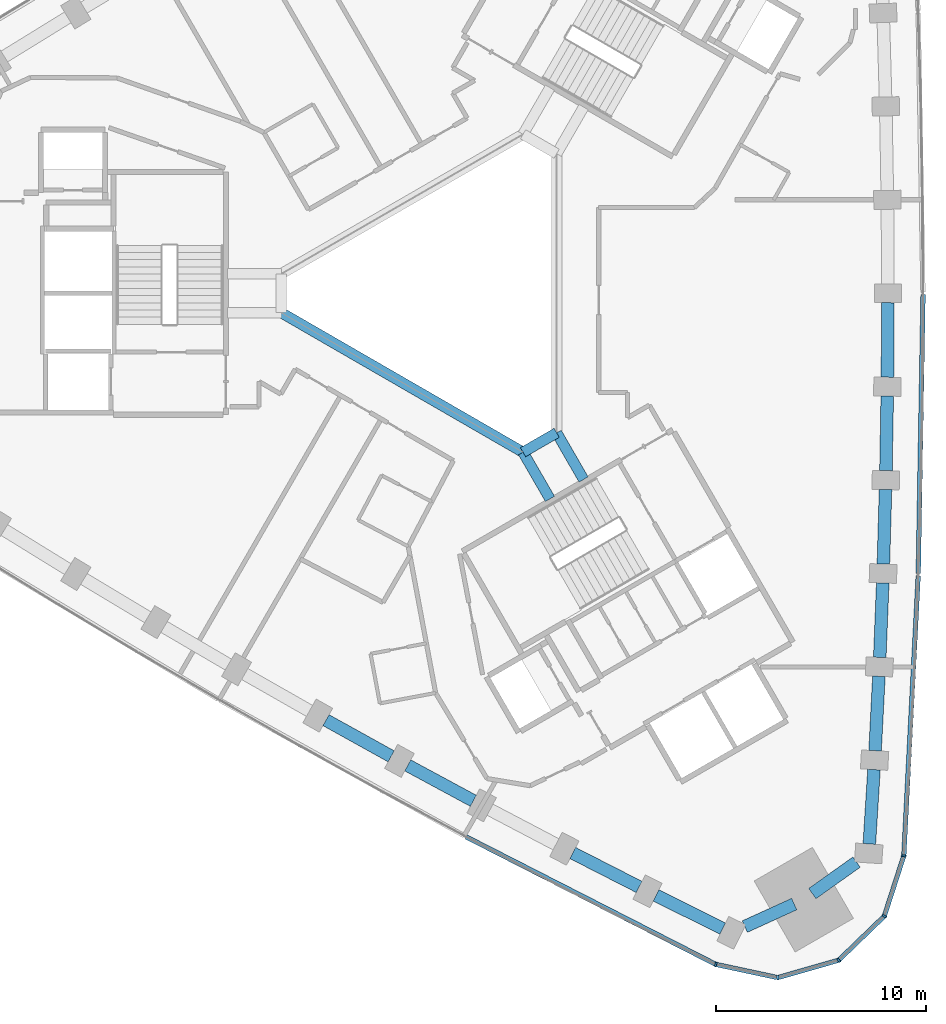
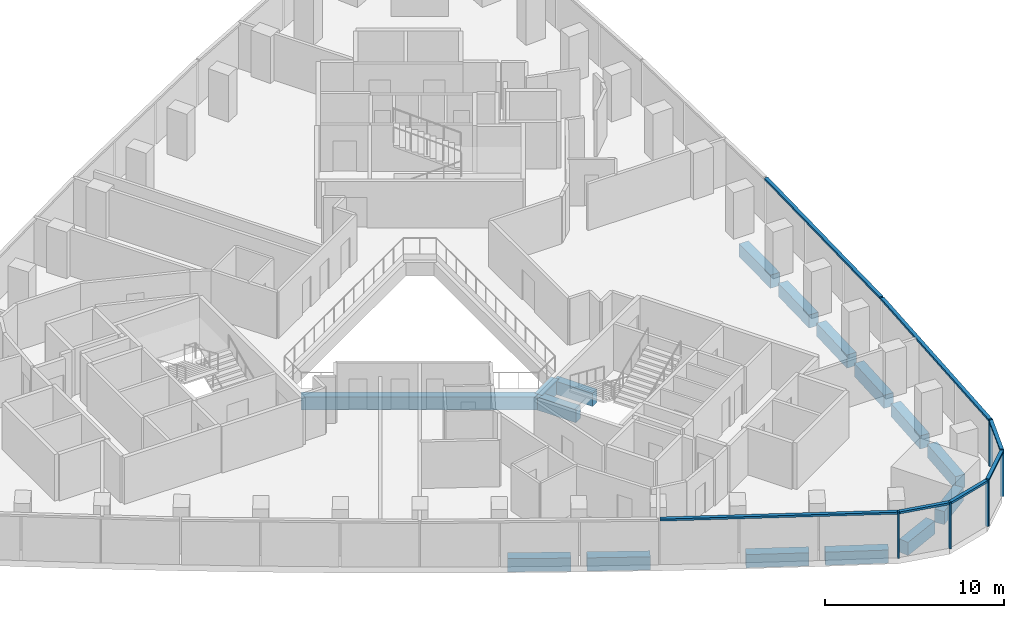
# One storey, part 3 of 12: 16 beams, 12 members, 2 elements without a shape of their own.
"""IFC4 building model written with IfcOpenShell, lengths in metres."""

from ifc_helpers import new_model, si_unit, direction, frame, origin, origin_2d, place, context, subcontext, project, spatial, rectangle, extrude, material, material_profile, profile_set, type_object, element, aggregate, save


model = new_model("IFC4")

# Units and contexts
model_context = context("Model", 3, precision=1e-05, world=origin(), true_north=direction((0.0, 1.0)))
body_context = subcontext(model_context, "Body", "Model", "MODEL_VIEW")
ifc_project = project(units=[si_unit("LENGTHUNIT", "METRE"), si_unit("AREAUNIT", "SQUARE_METRE"), si_unit("VOLUMEUNIT", "CUBIC_METRE"), si_unit("PLANEANGLEUNIT", "RADIAN"), si_unit("MASSUNIT", "GRAM", prefix="KILO")], contexts=[model_context])

# Site, building, storey
site_placement = place(None, origin())
site = spatial("IfcSite", under=ifc_project, at=site_placement, CompositionType="ELEMENT")
building_placement = place(site_placement, origin())
building = spatial("IfcBuilding", under=site, at=building_placement, Name="Tamra Quay Hotel Tower", CompositionType="ELEMENT")
storey_placement = place(building_placement, frame((0.0, 0.0, 83.0)))
storey = spatial("IfcBuildingStorey", under=building, at=storey_placement, Name="L19", CompositionType="ELEMENT", Elevation=83.0)

# Beams
ifc_material_1 = material(Name="Concrete M60", Category="concrete")
ifc_material_profile_1 = material_profile(ifc_material_1, rectangle(XDim=0.5, YDim=0.89990234375, at=origin_2d()), Name="ATRIUM EDGE BEAM RC 500x900")
ifc_profile_set_1 = profile_set([ifc_material_profile_1], Name="Concrete M60")
beam_type_1 = type_object("IfcBeamType", Name="ATRIUM EDGE BEAM RC 500x900", PredefinedType="BEAM", material=ifc_profile_set_1)
beam_1_placement = place(storey_placement, frame((4.89990234375, -6.639404296875, -0.875), z_axis=(-0.865989712182, -0.500061814573, 0.0), x_axis=(0.500061814573, -0.865989712182, 0.0)))
element("IfcBeam", 1, at=beam_1_placement, inside=storey, type_object=beam_type_1, Name="BM-AB1-L19", PredefinedType="BEAM", context=body_context, shape_type="SweptSolid", body=[
    extrude(rectangle(XDim=0.5, YDim=0.89990234375, at=origin_2d()), origin(), (0.0, 0.0, 1.0), 1.847412109375),
])
beam_2_placement = place(storey_placement, frame((3.300048828125, -7.563232421875, -0.875), z_axis=(-0.866029440693, 0.499993007805, 0.0), x_axis=(-0.499993007805, -0.866029440693, 0.0)))
element("IfcBeam", 2, at=beam_2_placement, inside=storey, type_object=beam_type_1, Name="BM-AB2-L19", PredefinedType="BEAM", context=body_context, shape_type="SweptSolid", body=[
    extrude(rectangle(XDim=0.5, YDim=0.89990234375, at=origin_2d()), origin(), (0.0, 0.0, 1.0), 13.279052734375),
])
ifc_material_profile_2 = material_profile(ifc_material_1, rectangle(XDim=0.5, YDim=0.89990234375, at=origin_2d()), Name="ATRIUM TIE BEAM RC 500x900")
ifc_profile_set_2 = profile_set([ifc_material_profile_2], Name="Concrete M60")
beam_type_2 = type_object("IfcBeamType", Name="ATRIUM TIE BEAM RC 500x900", PredefinedType="BEAM", material=ifc_profile_set_2)
for number, where, z_axis, x_axis, name in (
    (3, (4.89990234375, -6.639404296875, -0.875), (0.50003311468, -0.866006284171, 0.0), (0.866006284171, 0.50003311468, 0.0), "BM-TIE-1-L19"),
    (4, (3.300048828125, -7.563232421875, -0.875), (0.499961652204, -0.866047542763, 0.0), (0.866047542763, 0.499961652204, 0.0), "BM-TIE-2-L19"),
):
    element("IfcBeam", number, at=place(storey_placement, frame(where, z_axis=z_axis, x_axis=x_axis)), inside=storey, type_object=beam_type_2, Name=name, PredefinedType="BEAM", context=body_context, shape_type="SweptSolid", body=[
        extrude(rectangle(XDim=0.5, YDim=0.89990234375, at=origin_2d()), origin(), (0.0, 0.0, 1.0), 2.562255859375),
    ])

# Curtain wall, member
ifc_material_2 = material(Name="Aluminium 6063 anodised dark grey", Category="aluminium")
curtain_wall_type_1 = type_object("IfcCurtainWallType", Name="CW1 CURTAIN WALL", PredefinedType="NOTDEFINED", material=ifc_material_2)
curtain_wall_1_placement = place(storey_placement, origin())
curtain_wall_1 = element("IfcCurtainWall", 5, at=curtain_wall_1_placement, inside=storey, type_object=curtain_wall_type_1, Name="CW1 east face L19", PredefinedType="NOTDEFINED")
ifc_material_profile_3 = material_profile(ifc_material_2, rectangle(XDim=0.219970703125, YDim=0.10009765625, at=origin_2d()), Name="MULLION 100X220")
ifc_profile_set_3 = profile_set([ifc_material_profile_3], Name="Aluminium 6063 anodised dark grey")
member_type_1 = type_object("IfcMemberType", Name="MULLION CW1 Z2", PredefinedType="MULLION", material=ifc_profile_set_3)
member_1_placement = place(storey_placement, frame((21.41650390625, -26.762451171875, 0.0), z_axis=(0.0, 0.0, 1.0), x_axis=(0.982419074219, -0.18668894614, 0.0)))
member_1 = element("IfcMember", 6, at=member_1_placement, type_object=member_type_1, Name="CW1 mullion L19.E.1", PredefinedType="MULLION", context=body_context, shape_type="SweptSolid", body=[
    extrude(rectangle(XDim=0.219970703125, YDim=0.10009765625, at=origin_2d()), origin(), (0.0, 0.0, 1.0), 3.175048828125),
])

# Curtain wall, members
curtain_wall_type_2 = type_object("IfcCurtainWallType", Name="CW3 CURTAIN WALL", PredefinedType="NOTDEFINED", material=ifc_material_2)
curtain_wall_2_placement = place(storey_placement, origin())
curtain_wall_2 = element("IfcCurtainWall", 7, at=curtain_wall_2_placement, inside=storey, type_object=curtain_wall_type_2, Name="CW3 south-west face L19", PredefinedType="NOTDEFINED")
ifc_material_profile_4 = material_profile(ifc_material_2, rectangle(XDim=0.219970703125, YDim=0.10009765625, at=origin_2d()), Name="MULLION 100X220")
ifc_profile_set_4 = profile_set([ifc_material_profile_4], Name="Aluminium 6063 anodised dark grey")
member_type_2 = type_object("IfcMemberType", Name="MULLION CW3 Z2", PredefinedType="MULLION", material=ifc_profile_set_4)
member_2_placement = place(storey_placement, frame((12.46875, -31.928466796875, 0.0), z_axis=(0.0, 0.0, 1.0), x_axis=(-0.329532167147, -0.944144348506, 0.0)))
member_2 = element("IfcMember", 8, at=member_2_placement, type_object=member_type_2, Name="CW3 mullion L19.SW.13", PredefinedType="MULLION", context=body_context, shape_type="SweptSolid", body=[
    extrude(rectangle(XDim=0.219970703125, YDim=0.10009765625, at=origin_2d()), origin(), (0.0, 0.0, 1.0), 3.175048828125),
])
member_3_placement = place(storey_placement, frame((15.418701171875, -32.559326171875, 0.0), z_axis=(0.0, 0.0, 1.0), x_axis=(0.03404070031, -0.999420447421, 0.0)))
member_3 = element("IfcMember", 9, at=member_3_placement, type_object=member_type_2, Name="CW3 mullion L19.SW.14", PredefinedType="MULLION", context=body_context, shape_type="SweptSolid", body=[
    extrude(rectangle(XDim=0.219970703125, YDim=0.10009765625, at=origin_2d()), origin(), (0.0, 0.0, 1.0), 3.175048828125),
])
member_4_placement = place(storey_placement, frame((18.31884765625, -31.729248046875, 0.0), z_axis=(0.0, 0.0, 1.0), x_axis=(0.5, -0.866025403784, 0.0)))
member_4 = element("IfcMember", 10, at=member_4_placement, type_object=member_type_2, Name="CW3 mullion L19.SW.15", PredefinedType="MULLION", context=body_context, shape_type="SweptSolid", body=[
    extrude(rectangle(XDim=0.219970703125, YDim=0.10009765625, at=origin_2d()), origin(), (0.0, 0.0, 1.0), 3.175048828125),
])
member_5_placement = place(storey_placement, frame((20.488037109375, -29.6328125, 0.0), z_axis=(0.0, 0.0, 1.0), x_axis=(0.848503146373, -0.529190334941, 0.0)))
member_5 = element("IfcMember", 11, at=member_5_placement, type_object=member_type_2, Name="CW3 mullion L19.SW.16", PredefinedType="MULLION", context=body_context, shape_type="SweptSolid", body=[
    extrude(rectangle(XDim=0.219970703125, YDim=0.10009765625, at=origin_2d()), origin(), (0.0, 0.0, 1.0), 3.175048828125),
])

# Beams
ifc_material_profile_5 = material_profile(ifc_material_1, rectangle(XDim=0.60009765625, YDim=0.89990234375, at=origin_2d()), Name="SPANDREL BEAM RC 600x900")
ifc_profile_set_5 = profile_set([ifc_material_profile_5], Name="Concrete M60")
beam_type_3 = type_object("IfcBeamType", Name="SPANDREL BEAM RC 600x900", PredefinedType="SPANDREL", material=ifc_profile_set_5)
beam_3_placement = place(storey_placement, frame((19.7744140625, -26.199462890625, -0.875), z_axis=(0.062669833409, 0.99803431403, 0.0), x_axis=(-0.99803431403, 0.062669833409, 0.0)))
element("IfcBeam", 12, at=beam_3_placement, inside=storey, type_object=beam_type_3, Name="BM-SP2-000-L19", PredefinedType="SPANDREL", context=body_context, shape_type="SweptSolid", body=[
    extrude(rectangle(XDim=0.60009765625, YDim=0.89990234375, at=origin_2d()), origin(), (0.0, 0.0, 1.0), 3.545166015625),
])
beam_4_placement = place(storey_placement, frame((20.048095703125, -21.7626953125, -0.875), z_axis=(0.051311627905, 0.998682690769, 0.0), x_axis=(-0.998682690769, 0.051311627905, 0.0)))
element("IfcBeam", 13, at=beam_4_placement, inside=storey, type_object=beam_type_3, Name="BM-SP2-001-L19", PredefinedType="SPANDREL", context=body_context, shape_type="SweptSolid", body=[
    extrude(rectangle(XDim=0.60009765625, YDim=0.89990234375, at=origin_2d()), origin(), (0.0, 0.0, 1.0), 3.544677734375),
])
for number, where, z_axis, x_axis, name in (
    (14, (20.27099609375, -17.323486328125, -0.875), (0.039946034354, 0.999201838639, 0.0), (-0.999201838639, 0.039946034354, 0.0), "BM-SP2-002-L19"),
    (15, (20.443359375, -12.882080078125, -0.875), (0.02858140136, 0.999591468299, 0.0), (-0.999591468299, 0.02858140136, 0.0), "BM-SP2-003-L19"),
):
    element("IfcBeam", number, at=place(storey_placement, frame(where, z_axis=z_axis, x_axis=x_axis)), inside=storey, type_object=beam_type_3, Name=name, PredefinedType="SPANDREL", context=body_context, shape_type="SweptSolid", body=[
        extrude(rectangle(XDim=0.60009765625, YDim=0.89990234375, at=origin_2d()), origin(), (0.0, 0.0, 1.0), 3.544921875),
    ])
beam_5_placement = place(storey_placement, frame((20.565185546875, -8.43896484375, -0.875), z_axis=(0.017149781635, 0.99985293168, 0.0), x_axis=(-0.99985293168, 0.017149781635, 0.0)))
element("IfcBeam", 16, at=beam_5_placement, inside=storey, type_object=beam_type_3, Name="BM-SP2-004-L19", PredefinedType="SPANDREL", context=body_context, shape_type="SweptSolid", body=[
    extrude(rectangle(XDim=0.60009765625, YDim=0.89990234375, at=origin_2d()), origin(), (0.0, 0.0, 1.0), 3.544677734375),
])
for number, where, z_axis, x_axis, name in (
    (17, (20.63623046875, -3.994873046875, -0.875), (0.005716160055, 0.999983662624, 0.0), (-0.999983662624, 0.005716160055, 0.0), "BM-SP2-005-L19"),
    (18, (-6.073974609375, -20.309814453125, -0.875), (0.874475461638, -0.48506975477, 0.0), (0.48506975477, 0.874475461638, 0.0), "BM-SP2-035-L19"),
    (19, (-2.184814453125, -22.46142578125, -0.875), (0.879950887438, -0.475064664753, 0.0), (0.475064664753, 0.879950887438, 0.0), "BM-SP2-036-L19"),
    (20, (5.666259765625, -26.630859375, -0.875), (0.890551251107, -0.45488291807, 0.0), (0.45488291807, 0.890551251107, 0.0), "BM-SP2-038-L19"),
):
    element("IfcBeam", number, at=place(storey_placement, frame(where, z_axis=z_axis, x_axis=x_axis)), inside=storey, type_object=beam_type_3, Name=name, PredefinedType="SPANDREL", context=body_context, shape_type="SweptSolid", body=[
        extrude(rectangle(XDim=0.60009765625, YDim=0.89990234375, at=origin_2d()), origin(), (0.0, 0.0, 1.0), 3.544921875),
    ])
beam_6_placement = place(storey_placement, frame((9.626953125, -28.648193359375, -0.875), z_axis=(0.895622275285, -0.444815399928, 0.0), x_axis=(0.444815399928, 0.895622275285, 0.0)))
element("IfcBeam", 21, at=beam_6_placement, inside=storey, type_object=beam_type_3, Name="BM-SP2-039-L19", PredefinedType="SPANDREL", context=body_context, shape_type="SweptSolid", body=[
    extrude(rectangle(XDim=0.60009765625, YDim=0.89990234375, at=origin_2d()), origin(), (0.0, 0.0, 1.0), 3.545166015625),
])
for number, where, z_axis, x_axis, name in (
    (22, (13.8505859375, -30.130615234375, -0.875), (0.909819048293, 0.415005179923, 0.0), (-0.415005179923, 0.909819048293, 0.0), "BM-SP2-040-L19"),
    (23, (17.063720703125, -28.560546875, -0.875), (0.814339289036, 0.580389112865, 0.0), (-0.580389112865, 0.814339289036, 0.0), "BM-SP2-041-L19"),
):
    element("IfcBeam", number, at=place(storey_placement, frame(where, z_axis=z_axis, x_axis=x_axis)), inside=storey, type_object=beam_type_3, Name=name, PredefinedType="SPANDREL", context=body_context, shape_type="SweptSolid", body=[
        extrude(rectangle(XDim=0.60009765625, YDim=0.89990234375, at=origin_2d()), origin(), (0.0, 0.0, 1.0), 2.5849609375),
    ])

# Member
ifc_material_profile_6 = material_profile(ifc_material_2, rectangle(XDim=0.219970703125, YDim=0.139892578125, at=origin_2d()), Name="TRANSOM 220X140")
ifc_profile_set_6 = profile_set([ifc_material_profile_6], Name="Aluminium 6063 anodised dark grey")
member_type_3 = type_object("IfcMemberType", Name="TRANSOM CW1 Z2", PredefinedType="USERDEFINED", material=ifc_profile_set_6)
member_6_placement = place(storey_placement, frame((21.41943359375, -26.712646484375, 3.10498046875), z_axis=(0.051322797132, 0.998682116839, 0.0), x_axis=(-0.998682116839, 0.051322797132, 0.0)))
member_6 = element("IfcMember", 24, at=member_6_placement, type_object=member_type_3, Name="CW1 transom L19.E.1", ObjectType="TRANSOM", PredefinedType="USERDEFINED", context=body_context, shape_type="SweptSolid", body=[
    extrude(rectangle(XDim=0.219970703125, YDim=0.139892578125, at=origin_2d()), origin(), (0.0, 0.0, 1.0), 13.291015625),
])

member_7_placement = place(storey_placement, frame((22.10498046875, -13.33935546875, 3.10498046875), z_axis=(0.017137820377, 0.999853136772, 0.0), x_axis=(-0.999853136772, 0.017137820377, 0.0)))
member_7 = element("IfcMember", 25, at=member_7_placement, type_object=member_type_3, Name="CW1 transom L19.E.4", ObjectType="TRANSOM", PredefinedType="USERDEFINED", context=body_context, shape_type="SweptSolid", body=[
    extrude(rectangle(XDim=0.219970703125, YDim=0.139892578125, at=origin_2d()), origin(), (0.0, 0.0, 1.0), 13.291259765625),
])

aggregate(curtain_wall_1, [member_1, member_6, member_7])

ifc_material_profile_7 = material_profile(ifc_material_2, rectangle(XDim=0.219970703125, YDim=0.139892578125, at=origin_2d()), Name="TRANSOM 220X140")
ifc_profile_set_7 = profile_set([ifc_material_profile_7], Name="Aluminium 6063 anodised dark grey")
member_type_4 = type_object("IfcMemberType", Name="TRANSOM CW3 Z2", PredefinedType="USERDEFINED", material=ifc_profile_set_7)
member_8_placement = place(storey_placement, frame((0.588134765625, -25.860107421875, 3.10498046875), z_axis=(0.89053639512, -0.454912001344, 0.0), x_axis=(0.454912001344, 0.89053639512, 0.0)))
member_8 = element("IfcMember", 26, at=member_8_placement, type_object=member_type_4, Name="CW3 transom L19.SW.10", ObjectType="TRANSOM", PredefinedType="USERDEFINED", context=body_context, shape_type="SweptSolid", body=[
    extrude(rectangle(XDim=0.219970703125, YDim=0.139892578125, at=origin_2d()), origin(), (0.0, 0.0, 1.0), 13.290771484375),
])

member_9_placement = place(storey_placement, frame((12.517822265625, -31.93896484375, 3.10498046875), z_axis=(0.97787585355, -0.209186077557, 0.0), x_axis=(0.209186077557, 0.97787585355, 0.0)))
member_9 = element("IfcMember", 27, at=member_9_placement, type_object=member_type_4, Name="CW3 transom L19.SW.13", ObjectType="TRANSOM", PredefinedType="USERDEFINED", context=body_context, shape_type="SweptSolid", body=[
    extrude(rectangle(XDim=0.219970703125, YDim=0.139892578125, at=origin_2d()), origin(), (0.0, 0.0, 1.0), 2.91650390625),
])

member_10_placement = place(storey_placement, frame((15.466796875, -32.545654296875, 3.10498046875), z_axis=(0.961378509885, 0.275229650893, 0.0), x_axis=(-0.275229650893, 0.961378509885, 0.0)))
member_10 = element("IfcMember", 28, at=member_10_placement, type_object=member_type_4, Name="CW3 transom L19.SW.14", ObjectType="TRANSOM", PredefinedType="USERDEFINED", context=body_context, shape_type="SweptSolid", body=[
    extrude(rectangle(XDim=0.219970703125, YDim=0.139892578125, at=origin_2d()), origin(), (0.0, 0.0, 1.0), 2.91650390625),
])

member_11_placement = place(storey_placement, frame((18.354736328125, -31.6943359375, 3.10498046875), z_axis=(0.719058089649, 0.694949972092, 0.0), x_axis=(-0.694949972092, 0.719058089649, 0.0)))
member_11 = element("IfcMember", 29, at=member_11_placement, type_object=member_type_4, Name="CW3 transom L19.SW.15", ObjectType="TRANSOM", PredefinedType="USERDEFINED", context=body_context, shape_type="SweptSolid", body=[
    extrude(rectangle(XDim=0.219970703125, YDim=0.139892578125, at=origin_2d()), origin(), (0.0, 0.0, 1.0), 2.91650390625),
])

member_12_placement = place(storey_placement, frame((20.50341796875, -29.585205078125, 3.10498046875), z_axis=(0.307777941734, 0.95145821694, 0.0), x_axis=(-0.95145821694, 0.307777941734, 0.0)))
member_12 = element("IfcMember", 30, at=member_12_placement, type_object=member_type_4, Name="CW3 transom L19.SW.16", ObjectType="TRANSOM", PredefinedType="USERDEFINED", context=body_context, shape_type="SweptSolid", body=[
    extrude(rectangle(XDim=0.219970703125, YDim=0.139892578125, at=origin_2d()), origin(), (0.0, 0.0, 1.0), 2.916748046875),
])

aggregate(curtain_wall_2, [member_8, member_2, member_9, member_3, member_10, member_4, member_11, member_5, member_12])

save(model, "model.ifc")
